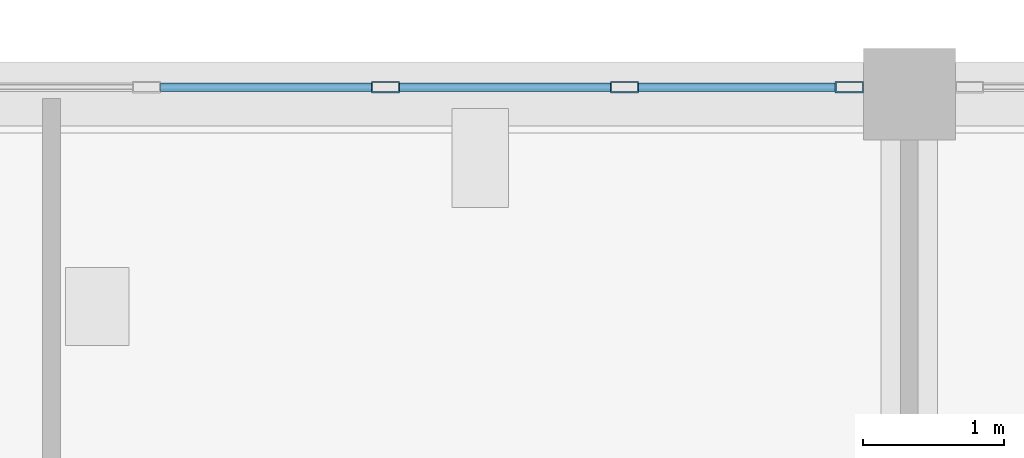
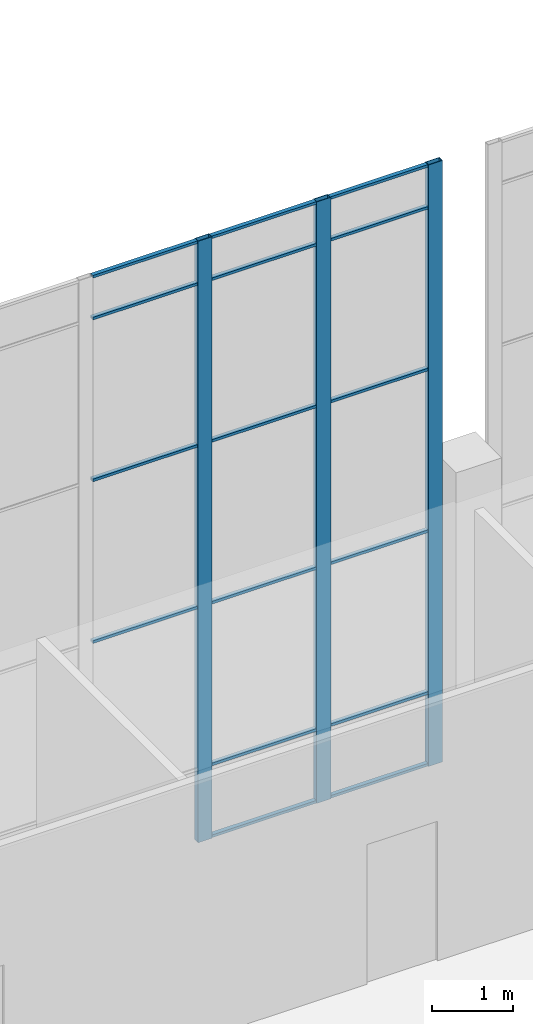
# One storey, part 19 of 91: 19 members, 1 element without a shape of its own.
"""IFC4 building model written with IfcOpenShell, lengths in metres."""

from ifc_helpers import new_model, si_unit, direction, frame, origin, origin_2d, place, context, subcontext, project, spatial, hollow_rectangle, extrude, material, layer, layer_set, material_profile, profile_set, type_object, element, aggregate, save


model = new_model("IFC4")

# Units and contexts
model_context = context("Model", 3, precision=1e-05, world=origin(), true_north=direction((0.0, 1.0)))
body_context = subcontext(model_context, "Body", "Model", "MODEL_VIEW")
ifc_project = project(units=[si_unit("LENGTHUNIT", "METRE"), si_unit("AREAUNIT", "SQUARE_METRE"), si_unit("VOLUMEUNIT", "CUBIC_METRE"), si_unit("PLANEANGLEUNIT", "RADIAN"), si_unit("MASSUNIT", "GRAM", prefix="KILO")], contexts=[model_context])

# Site, building, storey
site_placement = place(None, origin())
site = spatial("IfcSite", under=ifc_project, at=site_placement, CompositionType="ELEMENT")
building_placement = place(site_placement, origin())
building = spatial("IfcBuilding", under=site, at=building_placement, Name="Shirokan Park Arena", CompositionType="ELEMENT")
storey_placement = place(building_placement, frame((0.0, 0.0, 24.570068359375)))
storey = spatial("IfcBuildingStorey", under=building, at=storey_placement, Name="L05", CompositionType="ELEMENT", Elevation=24.570068359375)

# Curtain wall, members
ifc_material_1 = material(Name="Steel and glass curtain wall", Category="steel")
ifc_layer = layer(ifc_material_1, 0.199951171875)
ifc_layer_set = layer_set([ifc_layer], Name="Steel and glass curtain wall 200 mm")
curtain_wall_type = type_object("IfcCurtainWallType", Name="Curtain wall hall bay 200", PredefinedType="NOTDEFINED", material=ifc_layer_set)
curtain_wall_placement = place(storey_placement, origin())
curtain_wall = element("IfcCurtainWall", 1, at=curtain_wall_placement, inside=storey, type_object=curtain_wall_type, Name="Curtain wall north bay 10 L05", PredefinedType="NOTDEFINED")
ifc_material_2 = material(Name="Steel S355", Category="steel")
ifc_material_profile_1 = material_profile(ifc_material_2, hollow_rectangle(XDim=0.080078125, YDim=0.199951171875, WallThickness=0.008056640625, at=origin_2d()), Name="RHS 200x80x8")
ifc_profile_set_1 = profile_set([ifc_material_profile_1], Name="Steel S355")
member_type_1 = type_object("IfcMemberType", Name="Mullion RHS 200x80x8", PredefinedType="MULLION", material=ifc_profile_set_1)
member_1_placement = place(storey_placement, frame((63.27490234375, 109.25, 0.0), z_axis=(0.0, 0.0, 1.0), x_axis=(0.0, -1.0, 0.0)))
member_1 = element("IfcMember", 2, at=member_1_placement, type_object=member_type_1, Name="CW5 mullion 1", PredefinedType="MULLION", context=body_context, shape_type="SweptSolid", body=[
    extrude(hollow_rectangle(XDim=0.080078125, YDim=0.199951171875, WallThickness=0.008056640625, at=origin_2d()), origin(), (0.0, 0.0, 1.0), 9.050048828125),
])
member_2_placement = place(storey_placement, frame((61.68505859375, 109.25, 0.0), z_axis=(0.0, 0.0, 1.0), x_axis=(0.0, -1.0, 0.0)))
member_2 = element("IfcMember", 3, at=member_2_placement, type_object=member_type_1, Name="CW5 mullion 2", PredefinedType="MULLION", context=body_context, shape_type="SweptSolid", body=[
    extrude(hollow_rectangle(XDim=0.080078125, YDim=0.199951171875, WallThickness=0.008056640625, at=origin_2d()), origin(), (0.0, 0.0, 1.0), 9.050048828125),
])
member_3_placement = place(storey_placement, frame((59.9951171875, 109.25, 0.0), z_axis=(0.0, 0.0, 1.0), x_axis=(0.0, -1.0, 0.0)))
member_3 = element("IfcMember", 4, at=member_3_placement, type_object=member_type_1, Name="CW5 mullion 3", PredefinedType="MULLION", context=body_context, shape_type="SweptSolid", body=[
    extrude(hollow_rectangle(XDim=0.080078125, YDim=0.199951171875, WallThickness=0.008056640625, at=origin_2d()), origin(), (0.0, 0.0, 1.0), 9.050048828125),
])
ifc_material_profile_2 = material_profile(ifc_material_2, hollow_rectangle(XDim=0.06005859375, YDim=0.0400390625, WallThickness=0.00390625, at=origin_2d()), Name="RHS 60x40x4")
ifc_profile_set_2 = profile_set([ifc_material_profile_2], Name="Steel S355")
member_type_2 = type_object("IfcMemberType", Name="Transom RHS 60x40x4", PredefinedType="MULLION", material=ifc_profile_set_2)
member_4_placement = place(storey_placement, frame((63.175048828125, 109.25, 0.02001953125), z_axis=(-1.0, 0.0, 0.0), x_axis=(0.0, -1.0, 0.0)))
member_4 = element("IfcMember", 5, at=member_4_placement, type_object=member_type_2, Name="CW5 transom 1.1", PredefinedType="MULLION", context=body_context, shape_type="SweptSolid", body=[
    extrude(hollow_rectangle(XDim=0.06005859375, YDim=0.0400390625, WallThickness=0.00390625, at=origin_2d()), origin(), (0.0, 0.0, 1.0), 1.39013671875),
])
member_5_placement = place(storey_placement, frame((63.175048828125, 109.25, 1.099853515625), z_axis=(-1.0, 0.0, 0.0), x_axis=(0.0, -1.0, 0.0)))
member_5 = element("IfcMember", 6, at=member_5_placement, type_object=member_type_2, Name="CW5 transom 1.2", PredefinedType="MULLION", context=body_context, shape_type="SweptSolid", body=[
    extrude(hollow_rectangle(XDim=0.06005859375, YDim=0.0400390625, WallThickness=0.00390625, at=origin_2d()), origin(), (0.0, 0.0, 1.0), 1.39013671875),
])
member_6_placement = place(storey_placement, frame((63.175048828125, 109.25, 3.533203125), z_axis=(-1.0, 0.0, 0.0), x_axis=(0.0, -1.0, 0.0)))
member_6 = element("IfcMember", 7, at=member_6_placement, type_object=member_type_2, Name="CW5 transom 1.3", PredefinedType="MULLION", context=body_context, shape_type="SweptSolid", body=[
    extrude(hollow_rectangle(XDim=0.06005859375, YDim=0.0400390625, WallThickness=0.00390625, at=origin_2d()), origin(), (0.0, 0.0, 1.0), 1.39013671875),
])
member_7_placement = place(storey_placement, frame((63.175048828125, 109.25, 5.966552734375), z_axis=(-1.0, 0.0, 0.0), x_axis=(0.0, -1.0, 0.0)))
member_7 = element("IfcMember", 8, at=member_7_placement, type_object=member_type_2, Name="CW5 transom 1.4", PredefinedType="MULLION", context=body_context, shape_type="SweptSolid", body=[
    extrude(hollow_rectangle(XDim=0.06005859375, YDim=0.0400390625, WallThickness=0.00390625, at=origin_2d()), origin(), (0.0, 0.0, 1.0), 1.39013671875),
])
member_8_placement = place(storey_placement, frame((63.175048828125, 109.25, 8.39990234375), z_axis=(-1.0, 0.0, 0.0), x_axis=(0.0, -1.0, 0.0)))
member_8 = element("IfcMember", 9, at=member_8_placement, type_object=member_type_2, Name="CW5 transom 1.5", PredefinedType="MULLION", context=body_context, shape_type="SweptSolid", body=[
    extrude(hollow_rectangle(XDim=0.06005859375, YDim=0.0400390625, WallThickness=0.00390625, at=origin_2d()), origin(), (0.0, 0.0, 1.0), 1.39013671875),
])
member_9_placement = place(storey_placement, frame((63.175048828125, 109.25, 9.030029296875), z_axis=(-1.0, 0.0, 0.0), x_axis=(0.0, -1.0, 0.0)))
member_9 = element("IfcMember", 10, at=member_9_placement, type_object=member_type_2, Name="CW5 transom 1.6", PredefinedType="MULLION", context=body_context, shape_type="SweptSolid", body=[
    extrude(hollow_rectangle(XDim=0.06005859375, YDim=0.0400390625, WallThickness=0.00390625, at=origin_2d()), origin(), (0.0, 0.0, 1.0), 1.39013671875),
])
member_10_placement = place(storey_placement, frame((61.5849609375, 109.25, 0.02001953125), z_axis=(-1.0, 0.0, 0.0), x_axis=(0.0, -1.0, 0.0)))
member_10 = element("IfcMember", 11, at=member_10_placement, type_object=member_type_2, Name="CW5 transom 2.1", PredefinedType="MULLION", context=body_context, shape_type="SweptSolid", body=[
    extrude(hollow_rectangle(XDim=0.06005859375, YDim=0.0400390625, WallThickness=0.00390625, at=origin_2d()), origin(), (0.0, 0.0, 1.0), 1.489990234375),
])
member_11_placement = place(storey_placement, frame((61.5849609375, 109.25, 1.099853515625), z_axis=(-1.0, 0.0, 0.0), x_axis=(0.0, -1.0, 0.0)))
member_11 = element("IfcMember", 12, at=member_11_placement, type_object=member_type_2, Name="CW5 transom 2.2", PredefinedType="MULLION", context=body_context, shape_type="SweptSolid", body=[
    extrude(hollow_rectangle(XDim=0.06005859375, YDim=0.0400390625, WallThickness=0.00390625, at=origin_2d()), origin(), (0.0, 0.0, 1.0), 1.489990234375),
])
member_12_placement = place(storey_placement, frame((61.5849609375, 109.25, 3.533203125), z_axis=(-1.0, 0.0, 0.0), x_axis=(0.0, -1.0, 0.0)))
member_12 = element("IfcMember", 13, at=member_12_placement, type_object=member_type_2, Name="CW5 transom 2.3", PredefinedType="MULLION", context=body_context, shape_type="SweptSolid", body=[
    extrude(hollow_rectangle(XDim=0.06005859375, YDim=0.0400390625, WallThickness=0.00390625, at=origin_2d()), origin(), (0.0, 0.0, 1.0), 1.489990234375),
])
member_13_placement = place(storey_placement, frame((61.5849609375, 109.25, 5.966552734375), z_axis=(-1.0, 0.0, 0.0), x_axis=(0.0, -1.0, 0.0)))
member_13 = element("IfcMember", 14, at=member_13_placement, type_object=member_type_2, Name="CW5 transom 2.4", PredefinedType="MULLION", context=body_context, shape_type="SweptSolid", body=[
    extrude(hollow_rectangle(XDim=0.06005859375, YDim=0.0400390625, WallThickness=0.00390625, at=origin_2d()), origin(), (0.0, 0.0, 1.0), 1.489990234375),
])
member_14_placement = place(storey_placement, frame((61.5849609375, 109.25, 8.39990234375), z_axis=(-1.0, 0.0, 0.0), x_axis=(0.0, -1.0, 0.0)))
member_14 = element("IfcMember", 15, at=member_14_placement, type_object=member_type_2, Name="CW5 transom 2.5", PredefinedType="MULLION", context=body_context, shape_type="SweptSolid", body=[
    extrude(hollow_rectangle(XDim=0.06005859375, YDim=0.0400390625, WallThickness=0.00390625, at=origin_2d()), origin(), (0.0, 0.0, 1.0), 1.489990234375),
])
member_15_placement = place(storey_placement, frame((61.5849609375, 109.25, 9.030029296875), z_axis=(-1.0, 0.0, 0.0), x_axis=(0.0, -1.0, 0.0)))
member_15 = element("IfcMember", 16, at=member_15_placement, type_object=member_type_2, Name="CW5 transom 2.6", PredefinedType="MULLION", context=body_context, shape_type="SweptSolid", body=[
    extrude(hollow_rectangle(XDim=0.06005859375, YDim=0.0400390625, WallThickness=0.00390625, at=origin_2d()), origin(), (0.0, 0.0, 1.0), 1.489990234375),
])
member_16_placement = place(storey_placement, frame((59.89501953125, 109.25, 3.533203125), z_axis=(-1.0, 0.0, 0.0), x_axis=(0.0, -1.0, 0.0)))
member_16 = element("IfcMember", 17, at=member_16_placement, type_object=member_type_2, Name="CW5 transom 3.3", PredefinedType="MULLION", context=body_context, shape_type="SweptSolid", body=[
    extrude(hollow_rectangle(XDim=0.06005859375, YDim=0.0400390625, WallThickness=0.00390625, at=origin_2d()), origin(), (0.0, 0.0, 1.0), 1.489990234375),
])
member_17_placement = place(storey_placement, frame((59.89501953125, 109.25, 5.966552734375), z_axis=(-1.0, 0.0, 0.0), x_axis=(0.0, -1.0, 0.0)))
member_17 = element("IfcMember", 18, at=member_17_placement, type_object=member_type_2, Name="CW5 transom 3.4", PredefinedType="MULLION", context=body_context, shape_type="SweptSolid", body=[
    extrude(hollow_rectangle(XDim=0.06005859375, YDim=0.0400390625, WallThickness=0.00390625, at=origin_2d()), origin(), (0.0, 0.0, 1.0), 1.489990234375),
])
member_18_placement = place(storey_placement, frame((59.89501953125, 109.25, 8.39990234375), z_axis=(-1.0, 0.0, 0.0), x_axis=(0.0, -1.0, 0.0)))
member_18 = element("IfcMember", 19, at=member_18_placement, type_object=member_type_2, Name="CW5 transom 3.5", PredefinedType="MULLION", context=body_context, shape_type="SweptSolid", body=[
    extrude(hollow_rectangle(XDim=0.06005859375, YDim=0.0400390625, WallThickness=0.00390625, at=origin_2d()), origin(), (0.0, 0.0, 1.0), 1.489990234375),
])
member_19_placement = place(storey_placement, frame((59.89501953125, 109.25, 9.030029296875), z_axis=(-1.0, 0.0, 0.0), x_axis=(0.0, -1.0, 0.0)))
member_19 = element("IfcMember", 20, at=member_19_placement, type_object=member_type_2, Name="CW5 transom 3.6", PredefinedType="MULLION", context=body_context, shape_type="SweptSolid", body=[
    extrude(hollow_rectangle(XDim=0.06005859375, YDim=0.0400390625, WallThickness=0.00390625, at=origin_2d()), origin(), (0.0, 0.0, 1.0), 1.489990234375),
])
aggregate(curtain_wall, [member_1, member_2, member_3, member_4, member_5, member_6, member_7, member_8, member_9, member_10, member_11, member_12, member_13, member_14, member_15, member_16, member_17, member_18, member_19])

save(model, "model.ifc")
